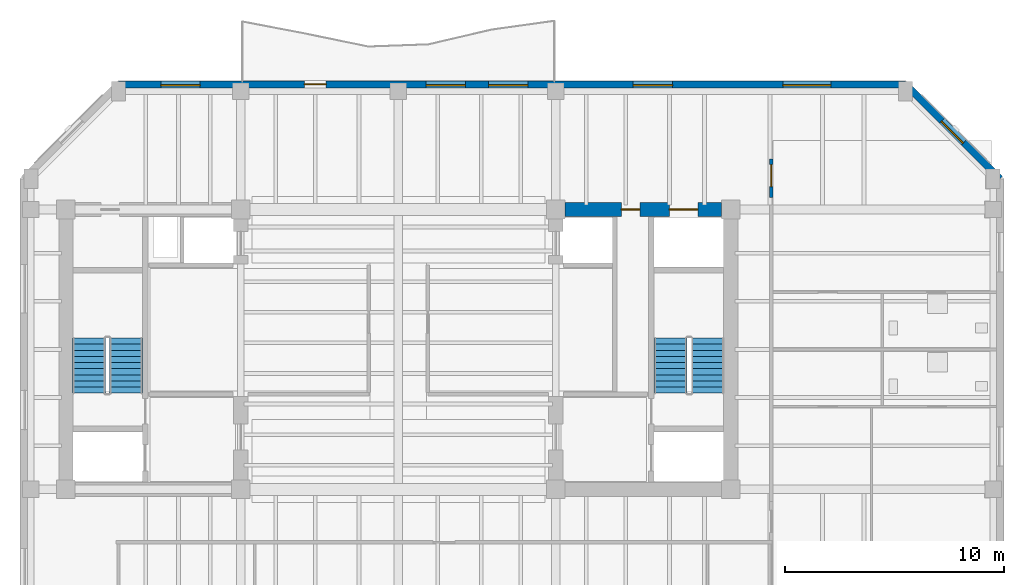
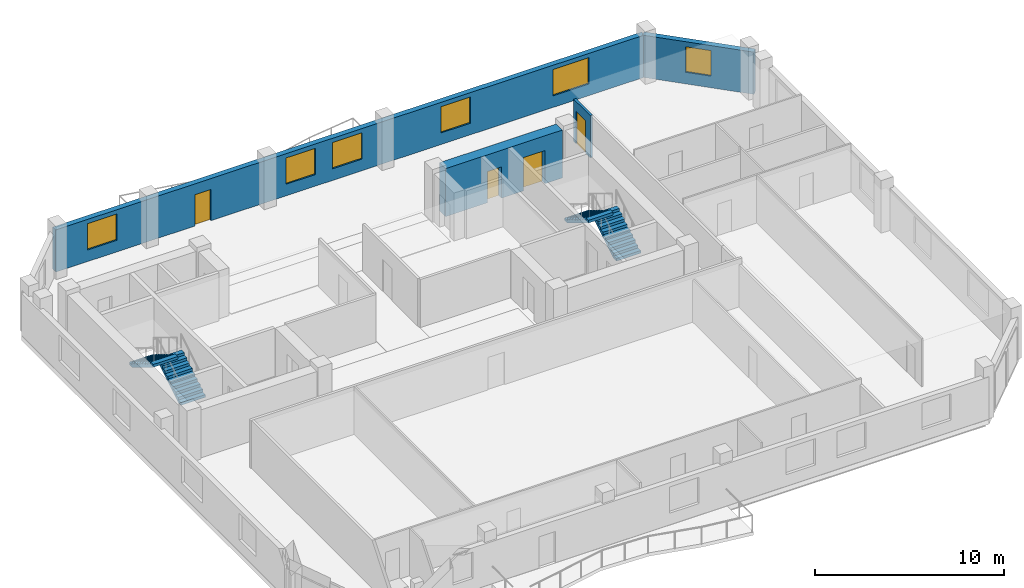
# One storey, part 5 of 9: 6 windows, 4 doors, 4 stair flights, 4 walls, 10 openings, 2 elements without a shape of their own.
"""IFC4 building model written with IfcOpenShell, lengths in metres."""

from ifc_helpers import new_model, si_unit, direction, frame, frame_2d, origin, place, context, subcontext, project, spatial, polyline, rectangle, outline, extrude, material, layer, layer_set, type_object, element, fill, aggregate, save


model = new_model("IFC4")

# Units and contexts
model_context = context("Model", 3, precision=1e-05, world=origin(), true_north=direction((0.0, 1.0)))
body_context = subcontext(model_context, "Body", "Model", "MODEL_VIEW")
ifc_project = project(units=[si_unit("LENGTHUNIT", "METRE"), si_unit("AREAUNIT", "SQUARE_METRE"), si_unit("VOLUMEUNIT", "CUBIC_METRE"), si_unit("PLANEANGLEUNIT", "RADIAN"), si_unit("MASSUNIT", "GRAM", prefix="KILO")], contexts=[model_context])

# Site, building, storey
site_placement = place(None, origin())
site = spatial("IfcSite", under=ifc_project, at=site_placement, CompositionType="ELEMENT")
building_placement = place(site_placement, origin())
building = spatial("IfcBuilding", under=site, at=building_placement, Name="Kranthara Brick Stack", CompositionType="ELEMENT")
storey_placement = place(building_placement, frame((0.0, 0.0, 241.5)))
storey = spatial("IfcBuildingStorey", under=building, at=storey_placement, Name="L63", CompositionType="ELEMENT", Elevation=241.5)

# Wall, openings, door, windows
ifc_material_1 = material(Name="Warm buff clay brick masonry M15", Category="masonry")
ifc_layer_1 = layer(ifc_material_1, 0.320068359375)
ifc_layer_set_1 = layer_set([ifc_layer_1], Name="Warm buff clay brick masonry M15")
wall_type_1 = type_object("IfcWallType", Name="WL-BRK-UPPR-320", PredefinedType="STANDARD", material=ifc_layer_set_1)
wall_1_placement = place(storey_placement, frame((15.199951171875, 39.320068359375, 0.0), z_axis=(0.0, 0.0, 1.0), x_axis=(1.0, 0.0, 0.0)))
wall_1 = element("IfcWall", 1, at=wall_1_placement, inside=storey, type_object=wall_type_1, Name="L63 Exterior Brick Facade Wall NORTH 1", PredefinedType="STANDARD", context=body_context, shape_type="SweptSolid", body=[
    extrude(rectangle(XDim=36.0, YDim=0.320068359375, at=frame_2d((18.0, 0.0))), origin(), (0.0, 0.0, 1.0), 2.72509765625),
])
opening_1_placement = place(wall_1_placement, frame((8.5, 0.0, 0.0)))
opening_1 = element("IfcOpeningElement", 2, at=opening_1_placement, cuts=wall_1, Name="Opening D03", PredefinedType="OPENING", context=body_context, shape_type="SweptSolid", body=[
    extrude(rectangle(XDim=1.0, YDim=2.02001953125, at=frame_2d((0.5, 1.010009765625))), frame((0.0, 0.169921875, 0.0), z_axis=(0.0, -1.0, 0.0), x_axis=(1.0, 0.0, 0.0)), (0.0, 0.0, 1.0), 0.340087890625),
])
opening_2_placement = place(wall_1_placement, frame((1.93798828125, 0.0, 0.75)))
opening_2 = element("IfcOpeningElement", 3, at=opening_2_placement, cuts=wall_1, Name="Opening WN07", PredefinedType="OPENING", context=body_context, shape_type="SweptSolid", body=[
    extrude(rectangle(XDim=1.800048828125, YDim=1.699951171875, at=frame_2d((0.89990234375, 0.85009765625))), frame((0.0, 0.169921875, 0.0), z_axis=(0.0, -1.0, 0.0), x_axis=(1.0, 0.0, 0.0)), (0.0, 0.0, 1.0), 0.340087890625),
])
opening_3_placement = place(wall_1_placement, frame((14.072021484375, 0.0, 0.75)))
opening_3 = element("IfcOpeningElement", 4, at=opening_3_placement, cuts=wall_1, Name="Opening WN07", PredefinedType="OPENING", context=body_context, shape_type="SweptSolid", body=[
    extrude(rectangle(XDim=1.800048828125, YDim=1.699951171875, at=frame_2d((0.89990234375, 0.85009765625))), frame((0.0, 0.169921875, 0.0), z_axis=(0.0, -1.0, 0.0), x_axis=(1.0, 0.0, 0.0)), (0.0, 0.0, 1.0), 0.340087890625),
])
opening_4_placement = place(wall_1_placement, frame((16.927978515625, 0.0, 0.75)))
opening_4 = element("IfcOpeningElement", 5, at=opening_4_placement, cuts=wall_1, Name="Opening WN07", PredefinedType="OPENING", context=body_context, shape_type="SweptSolid", body=[
    extrude(rectangle(XDim=1.800048828125, YDim=1.699951171875, at=frame_2d((0.89990234375, 0.85009765625))), frame((0.0, 0.169921875, 0.0), z_axis=(0.0, -1.0, 0.0), x_axis=(1.0, 0.0, 0.0)), (0.0, 0.0, 1.0), 0.340087890625),
])
opening_5_placement = place(wall_1_placement, frame((23.541015625, 0.0, 0.75)))
opening_5 = element("IfcOpeningElement", 6, at=opening_5_placement, cuts=wall_1, Name="Opening WN07", PredefinedType="OPENING", context=body_context, shape_type="SweptSolid", body=[
    extrude(rectangle(XDim=1.800048828125, YDim=1.699951171875, at=frame_2d((0.89990234375, 0.85009765625))), frame((0.0, 0.169921875, 0.0), z_axis=(0.0, -1.0, 0.0), x_axis=(1.0, 0.0, 0.0)), (0.0, 0.0, 1.0), 0.340087890625),
])
opening_6_placement = place(wall_1_placement, frame((30.384033203125, 0.0, 0.75)))
opening_6 = element("IfcOpeningElement", 7, at=opening_6_placement, cuts=wall_1, Name="Opening WN08", PredefinedType="OPENING", context=body_context, shape_type="SweptSolid", body=[
    extrude(rectangle(XDim=2.199951171875, YDim=1.699951171875, at=frame_2d((1.10009765625, 0.85009765625))), frame((0.0, 0.169921875, 0.0), z_axis=(0.0, -1.0, 0.0), x_axis=(1.0, 0.0, 0.0)), (0.0, 0.0, 1.0), 0.340087890625),
])
ifc_material_2 = material(Name="Bronze anodised aluminium and laminated glass", Category="aluminium")
door_type_1 = type_object("IfcDoorType", Name="DR-BALC-1000", OperationType="NOTDEFINED", PredefinedType="DOOR", material=ifc_material_2)
door_1_placement = place(opening_1_placement, origin())
door_1 = element("IfcDoor", 8, at=door_1_placement, inside=storey, type_object=door_type_1, Name="L63 North Balcony Terrace Door", OperationType="SINGLE_SWING_RIGHT", OverallHeight=2.02001953125, OverallWidth=1.0, PredefinedType="DOOR", context=body_context, shape_type="SweptSolid", body=[
    extrude(rectangle(XDim=1.0, YDim=2.02001953125, at=frame_2d((0.5, 1.010009765625))), frame((0.0, 0.02490234375, 0.0), z_axis=(0.0, -1.0, 0.0), x_axis=(1.0, 0.0, 0.0)), (0.0, 0.0, 1.0), 0.050048828125),
])
fill(opening_1, door_1)
ifc_material_3 = material(Name="Double-glazed low-E solar control glass", Category="glass")
window_type_1 = type_object("IfcWindowType", Name="WN-RES-1800x1850", PartitioningType="DOUBLE_PANEL_VERTICAL", PredefinedType="WINDOW", material=ifc_material_3)
window_1_placement = place(opening_2_placement, origin())
window_1 = element("IfcWindow", 9, at=window_1_placement, inside=storey, type_object=window_type_1, Name="L63 North Deep-Set Brick Window 01", OverallHeight=1.699951171875, OverallWidth=1.800048828125, PartitioningType="SINGLE_PANEL", PredefinedType="WINDOW", context=body_context, shape_type="SweptSolid", body=[
    extrude(rectangle(XDim=1.800048828125, YDim=1.699951171875, at=frame_2d((0.89990234375, 0.85009765625))), frame((0.0, -0.010009765625, 0.0), z_axis=(0.0, -1.0, 0.0), x_axis=(1.0, 0.0, 0.0)), (0.0, 0.0, 1.0), 0.06005859375),
])
fill(opening_2, window_1)
window_2_placement = place(opening_3_placement, origin())
window_2 = element("IfcWindow", 10, at=window_2_placement, inside=storey, type_object=window_type_1, Name="L63 North Deep-Set Brick Window 02", OverallHeight=1.699951171875, OverallWidth=1.800048828125, PartitioningType="SINGLE_PANEL", PredefinedType="WINDOW", context=body_context, shape_type="SweptSolid", body=[
    extrude(rectangle(XDim=1.800048828125, YDim=1.699951171875, at=frame_2d((0.89990234375, 0.85009765625))), frame((0.0, -0.010009765625, 0.0), z_axis=(0.0, -1.0, 0.0), x_axis=(1.0, 0.0, 0.0)), (0.0, 0.0, 1.0), 0.06005859375),
])
fill(opening_3, window_2)
window_3_placement = place(opening_4_placement, origin())
window_3 = element("IfcWindow", 11, at=window_3_placement, inside=storey, type_object=window_type_1, Name="L63 North Deep-Set Brick Window 03", OverallHeight=1.699951171875, OverallWidth=1.800048828125, PartitioningType="SINGLE_PANEL", PredefinedType="WINDOW", context=body_context, shape_type="SweptSolid", body=[
    extrude(rectangle(XDim=1.800048828125, YDim=1.699951171875, at=frame_2d((0.89990234375, 0.85009765625))), frame((0.0, -0.010009765625, 0.0), z_axis=(0.0, -1.0, 0.0), x_axis=(1.0, 0.0, 0.0)), (0.0, 0.0, 1.0), 0.06005859375),
])
fill(opening_4, window_3)
window_4_placement = place(opening_5_placement, origin())
window_4 = element("IfcWindow", 12, at=window_4_placement, inside=storey, type_object=window_type_1, Name="L63 North Deep-Set Brick Window 04", OverallHeight=1.699951171875, OverallWidth=1.800048828125, PartitioningType="SINGLE_PANEL", PredefinedType="WINDOW", context=body_context, shape_type="SweptSolid", body=[
    extrude(rectangle(XDim=1.800048828125, YDim=1.699951171875, at=frame_2d((0.89990234375, 0.85009765625))), frame((0.0, -0.010009765625, 0.0), z_axis=(0.0, -1.0, 0.0), x_axis=(1.0, 0.0, 0.0)), (0.0, 0.0, 1.0), 0.06005859375),
])
fill(opening_5, window_4)
ifc_material_4 = material(Name="Double-glazed low-E solar control glass", Category="glass")
window_type_2 = type_object("IfcWindowType", Name="WN-RES-2200x1850", PartitioningType="TRIPLE_PANEL_VERTICAL", PredefinedType="WINDOW", material=ifc_material_4)
window_5_placement = place(opening_6_placement, origin())
window_5 = element("IfcWindow", 13, at=window_5_placement, inside=storey, type_object=window_type_2, Name="L63 North Deep-Set Brick Window 05", OverallHeight=1.699951171875, OverallWidth=2.199951171875, PartitioningType="SINGLE_PANEL", PredefinedType="WINDOW", context=body_context, shape_type="SweptSolid", body=[
    extrude(rectangle(XDim=2.199951171875, YDim=1.699951171875, at=frame_2d((1.10009765625, 0.85009765625))), frame((0.0, -0.010009765625, 0.0), z_axis=(0.0, -1.0, 0.0), x_axis=(1.0, 0.0, 0.0)), (0.0, 0.0, 1.0), 0.06005859375),
])
fill(opening_6, window_5)

# Wall, opening, window
wall_2_placement = place(storey_placement, frame((51.199951171875, 39.320068359375, 0.0), z_axis=(0.0, 0.0, 1.0), x_axis=(0.707106781187, -0.707106781187, 0.0)))
wall_2 = element("IfcWall", 14, at=wall_2_placement, inside=storey, type_object=wall_type_1, Name="L63 Exterior Brick Facade Wall NE 1", PredefinedType="STANDARD", context=body_context, shape_type="SweptSolid", body=[
    extrude(rectangle(XDim=6.109619140625, YDim=0.320068359375, at=frame_2d((3.0546875, 0.0))), origin(), (0.0, 0.0, 1.0), 2.72509765625),
])
opening_7_placement = place(wall_2_placement, frame((2.35498046875, 0.0, 0.75)))
opening_7 = element("IfcOpeningElement", 15, at=opening_7_placement, cuts=wall_2, Name="Opening WN10", PredefinedType="OPENING", context=body_context, shape_type="SweptSolid", body=[
    extrude(rectangle(XDim=1.39990234375, YDim=1.64990234375, at=frame_2d((0.699951171875, 0.824951171875))), frame((0.0, 0.169921875, 0.0), z_axis=(0.0, -1.0, 0.0), x_axis=(1.0, 0.0, 0.0)), (0.0, 0.0, 1.0), 0.340087890625),
])
ifc_material_5 = material(Name="Double-glazed low-E solar control glass", Category="glass")
window_type_3 = type_object("IfcWindowType", Name="WN-CHM-1400x1750", PartitioningType="SINGLE_PANEL", PredefinedType="WINDOW", material=ifc_material_5)
window_6_placement = place(opening_7_placement, origin())
window_6 = element("IfcWindow", 16, at=window_6_placement, inside=storey, type_object=window_type_3, Name="L63 NE Chamfer Corner Window", OverallHeight=1.64990234375, OverallWidth=1.39990234375, PartitioningType="SINGLE_PANEL", PredefinedType="WINDOW", context=body_context, shape_type="SweptSolid", body=[
    extrude(rectangle(XDim=1.39990234375, YDim=1.64990234375, at=frame_2d((0.699951171875, 0.824951171875))), frame((0.0, -0.010009765625, 0.0), z_axis=(0.0, -1.0, 0.0), x_axis=(1.0, 0.0, 0.0)), (0.0, 0.0, 1.0), 0.06005859375),
])
fill(opening_7, window_6)

# Wall, openings, doors
ifc_material_6 = material(Name="Concrete C60/75", Category="concrete")
ifc_layer_2 = layer(ifc_material_6, 0.64990234375)
ifc_layer_set_2 = layer_set([ifc_layer_2], Name="Concrete C60/75")
wall_type_2 = type_object("IfcWallType", Name="WL-CORE-650", PredefinedType="SHEAR", material=ifc_layer_set_2)
wall_3_placement = place(storey_placement, frame((35.6298828125, 33.60009765625, 0.0), z_axis=(0.0, 0.0, 1.0), x_axis=(1.0, 0.0, 0.0)))
wall_3 = element("IfcWall", 17, at=wall_3_placement, inside=storey, type_object=wall_type_2, Name="L63 East Core Shear Wall North", PredefinedType="SHEAR", context=body_context, shape_type="SweptSolid", body=[
    extrude(rectangle(XDim=7.14013671875, YDim=0.64990234375, at=frame_2d((3.570068359375, 0.0))), origin(), (0.0, 0.0, 1.0), 3.10009765625),
])
opening_8_placement = place(wall_3_placement, frame((4.77001953125, 0.0, 0.0)))
opening_8 = element("IfcOpeningElement", 18, at=opening_8_placement, cuts=wall_3, Name="Opening LD03", PredefinedType="OPENING", context=body_context, shape_type="SweptSolid", body=[
    extrude(rectangle(XDim=1.300048828125, YDim=2.14990234375, at=frame_2d((0.64990234375, 1.074951171875))), frame((0.0, 0.3349609375, 0.0), z_axis=(0.0, -1.0, 0.0), x_axis=(1.0, 0.0, 0.0)), (0.0, 0.0, 1.0), 0.669921875),
])
opening_9_placement = place(wall_3_placement, frame((2.570068359375, 0.0, 0.0)))
opening_9 = element("IfcOpeningElement", 19, at=opening_9_placement, cuts=wall_3, Name="Opening D10", PredefinedType="OPENING", context=body_context, shape_type="SweptSolid", body=[
    extrude(rectangle(XDim=0.85009765625, YDim=2.02001953125, at=frame_2d((0.425048828125, 1.010009765625))), frame((0.0, 0.3349609375, 0.0), z_axis=(0.0, -1.0, 0.0), x_axis=(1.0, 0.0, 0.0)), (0.0, 0.0, 1.0), 0.669921875),
])
ifc_material_7 = material(Name="Stainless steel sliding landing door", Category="steel")
door_type_2 = type_object("IfcDoorType", Name="DR-LD-SV1300", OperationType="DOUBLE_DOOR_SLIDING", PredefinedType="DOOR", material=ifc_material_7)
door_2_placement = place(opening_8_placement, origin())
door_2 = element("IfcDoor", 20, at=door_2_placement, inside=storey, type_object=door_type_2, Name="L63 Stretcher Service Lift SV-01 Landing Door", OperationType="DOUBLE_DOOR_SLIDING", OverallHeight=2.14990234375, OverallWidth=1.300048828125, PredefinedType="DOOR", context=body_context, shape_type="SweptSolid", body=[
    extrude(rectangle(XDim=1.300048828125, YDim=2.14990234375, at=frame_2d((0.64990234375, 1.074951171875))), frame((0.0, 0.02490234375, 0.0), z_axis=(0.0, -1.0, 0.0), x_axis=(1.0, 0.0, 0.0)), (0.0, 0.0, 1.0), 0.050048828125),
])
fill(opening_8, door_2)
ifc_material_8 = material(Name="Solid-core hardwood timber leaf in steel frame", Category="steel")
door_type_3 = type_object("IfcDoorType", Name="DR-RSR-850", OperationType="NOTDEFINED", PredefinedType="DOOR", material=ifc_material_8)
door_3_placement = place(opening_9_placement, origin())
door_3 = element("IfcDoor", 21, at=door_3_placement, inside=storey, type_object=door_type_3, Name="L63 East Core Service Room Door", OperationType="SINGLE_SWING_LEFT", OverallHeight=2.02001953125, OverallWidth=0.85009765625, PredefinedType="DOOR", context=body_context, shape_type="SweptSolid", body=[
    extrude(rectangle(XDim=0.85009765625, YDim=2.02001953125, at=frame_2d((0.425048828125, 1.010009765625))), frame((0.0, 0.02490234375, 0.0), z_axis=(0.0, -1.0, 0.0), x_axis=(1.0, 0.0, 0.0)), (0.0, 0.0, 1.0), 0.050048828125),
])
fill(opening_9, door_3)

# Wall, opening, door
ifc_material_9 = material(Name="Fire-rated gypsum board partition", Category="other")
ifc_layer_3 = layer(ifc_material_9, 0.14990234375)
ifc_layer_set_3 = layer_set([ifc_layer_3], Name="Fire-rated gypsum board partition")
wall_type_3 = type_object("IfcWallType", Name="WL-PART-150", PredefinedType="PARTITIONING", material=ifc_layer_set_3)
wall_4_placement = place(storey_placement, frame((45.050048828125, 34.14990234375, 0.0), z_axis=(0.0, 0.0, 1.0), x_axis=(0.0, 1.0, 0.0)))
wall_4 = element("IfcWall", 22, at=wall_4_placement, inside=storey, type_object=wall_type_3, Name="L63 Interior Partition 017", PredefinedType="PARTITIONING", context=body_context, shape_type="SweptSolid", body=[
    extrude(rectangle(XDim=1.75, YDim=0.14990234375, at=frame_2d((0.875, 0.0))), origin(), (0.0, 0.0, 1.0), 2.72509765625),
])
opening_10_placement = place(wall_4_placement, frame((0.5, 0.0, 0.0)))
opening_10 = element("IfcOpeningElement", 23, at=opening_10_placement, cuts=wall_4, Name="Opening D08", PredefinedType="OPENING", context=body_context, shape_type="SweptSolid", body=[
    extrude(rectangle(XDim=1.0, YDim=2.10009765625, at=frame_2d((0.5, 1.050048828125))), frame((0.0, 0.0849609375, 0.0), z_axis=(0.0, -1.0, 0.0), x_axis=(1.0, 0.0, 0.0)), (0.0, 0.0, 1.0), 0.169921875),
])
ifc_material_10 = material(Name="Solid-core hardwood timber leaf in steel frame", Category="steel")
door_type_4 = type_object("IfcDoorType", Name="DR-FD-1000", OperationType="NOTDEFINED", PredefinedType="DOOR", material=ifc_material_10)
door_4_placement = place(opening_10_placement, origin())
door_4 = element("IfcDoor", 24, at=door_4_placement, inside=storey, type_object=door_type_4, Name="L63 Unit L63C Entrance 14", OperationType="SINGLE_SWING_RIGHT", OverallHeight=2.10009765625, OverallWidth=1.0, PredefinedType="DOOR", context=body_context, shape_type="SweptSolid", body=[
    extrude(rectangle(XDim=1.0, YDim=2.10009765625, at=frame_2d((0.5, 1.050048828125))), frame((0.0, 0.02490234375, 0.0), z_axis=(0.0, -1.0, 0.0), x_axis=(1.0, 0.0, 0.0)), (0.0, 0.0, 1.0), 0.050048828125),
])
fill(opening_10, door_4)

# Stair, stair flights
ifc_material_11 = material(Name="Concrete C45/55", Category="concrete")
stair_type = type_object("IfcStairType", Name="ST-CORE-20R", PredefinedType="HALF_TURN_STAIR", material=ifc_material_11)
stair_1_placement = place(storey_placement, origin())
stair_1 = element("IfcStair", 25, at=stair_1_placement, inside=storey, type_object=stair_type, Name="L63 West Core Protected Exit Stair ST01", PredefinedType="HALF_TURN_STAIR")
ifc_material_12 = material(Name="Concrete C45/55", Category="concrete")
stair_flight_type = type_object("IfcStairFlightType", Name="SFL-RC-20R", PredefinedType="STRAIGHT", material=ifc_material_12)
stair_flight_1_placement = place(storey_placement, frame((15.550048828125, 25.199951171875, 0.0), z_axis=(0.0, 0.0, 1.0), x_axis=(0.0, 1.0, 0.0)))
stair_flight_1 = element("IfcStairFlight", 26, at=stair_flight_1_placement, type_object=stair_flight_type, Name="ST01 flight 1", NumberOfRisers=10, NumberOfTreads=9, PredefinedType="STRAIGHT", RiserHeight=0.17, TreadLength=0.28, context=body_context, shape_type="SweptSolid", body=[
    extrude(outline(polyline([(0.0, 0.0), (0.0, 0.169921875), (0.280029296875, 0.169921875), (0.280029296875, 0.340087890625), (0.56005859375, 0.340087890625), (0.56005859375, 0.510009765625), (0.840087890625, 0.510009765625), (0.840087890625, 0.679931640625), (1.1201171875, 0.679931640625), (1.1201171875, 0.85009765625), (1.39990234375, 0.85009765625), (1.39990234375, 1.02001953125), (1.679931640625, 1.02001953125), (1.679931640625, 1.18994140625), (1.9599609375, 1.18994140625), (1.9599609375, 1.360107421875), (2.239990234375, 1.360107421875), (2.239990234375, 1.530029296875), (2.52001953125, 1.530029296875), (2.52001953125, 1.699951171875), (2.52001953125, 1.354736328125), (0.288818359375, 0.0), (0.0, 0.0)])), frame((0.0, 0.75, 0.0), z_axis=(0.0, -1.0, 0.0), x_axis=(1.0, 0.0, 0.0)), (0.0, 0.0, 1.0), 1.5),
])
stair_flight_2_placement = place(storey_placement, frame((13.85009765625, 27.719970703125, 1.699951171875), z_axis=(0.0, 0.0, 1.0), x_axis=(0.0, -1.0, 0.0)))
stair_flight_2 = element("IfcStairFlight", 27, at=stair_flight_2_placement, type_object=stair_flight_type, Name="ST01 flight 2", NumberOfRisers=10, NumberOfTreads=9, PredefinedType="STRAIGHT", RiserHeight=0.17, TreadLength=0.28, context=body_context, shape_type="SweptSolid", body=[
    extrude(outline(polyline([(0.0, 0.0), (0.0, 0.169921875), (0.280029296875, 0.169921875), (0.280029296875, 0.340087890625), (0.56005859375, 0.340087890625), (0.56005859375, 0.510009765625), (0.840087890625, 0.510009765625), (0.840087890625, 0.679931640625), (1.1201171875, 0.679931640625), (1.1201171875, 0.85009765625), (1.39990234375, 0.85009765625), (1.39990234375, 1.02001953125), (1.679931640625, 1.02001953125), (1.679931640625, 1.18994140625), (1.9599609375, 1.18994140625), (1.9599609375, 1.360107421875), (2.239990234375, 1.360107421875), (2.239990234375, 1.530029296875), (2.52001953125, 1.530029296875), (2.52001953125, 1.699951171875), (2.52001953125, 1.354736328125), (0.288818359375, 0.0), (0.0, 0.0)])), frame((0.0, 0.75, 0.0), z_axis=(0.0, -1.0, 0.0), x_axis=(1.0, 0.0, 0.0)), (0.0, 0.0, 1.0), 1.5),
])
aggregate(stair_1, [stair_flight_1, stair_flight_2])

stair_2_placement = place(storey_placement, origin())
stair_2 = element("IfcStair", 28, at=stair_2_placement, inside=storey, type_object=stair_type, Name="L63 East Core Protected Exit Stair ST02", PredefinedType="HALF_TURN_STAIR")
stair_flight_3_placement = place(storey_placement, frame((42.14990234375, 25.199951171875, 0.0), z_axis=(0.0, 0.0, 1.0), x_axis=(0.0, 1.0, 0.0)))
stair_flight_3 = element("IfcStairFlight", 29, at=stair_flight_3_placement, type_object=stair_flight_type, Name="ST02 flight 1", NumberOfRisers=10, NumberOfTreads=9, PredefinedType="STRAIGHT", RiserHeight=0.17, TreadLength=0.28, context=body_context, shape_type="SweptSolid", body=[
    extrude(outline(polyline([(0.0, 0.0), (0.0, 0.169921875), (0.280029296875, 0.169921875), (0.280029296875, 0.340087890625), (0.56005859375, 0.340087890625), (0.56005859375, 0.510009765625), (0.840087890625, 0.510009765625), (0.840087890625, 0.679931640625), (1.1201171875, 0.679931640625), (1.1201171875, 0.85009765625), (1.39990234375, 0.85009765625), (1.39990234375, 1.02001953125), (1.679931640625, 1.02001953125), (1.679931640625, 1.18994140625), (1.9599609375, 1.18994140625), (1.9599609375, 1.360107421875), (2.239990234375, 1.360107421875), (2.239990234375, 1.530029296875), (2.52001953125, 1.530029296875), (2.52001953125, 1.699951171875), (2.52001953125, 1.354736328125), (0.288818359375, 0.0), (0.0, 0.0)])), frame((0.0, 0.75, 0.0), z_axis=(0.0, -1.0, 0.0), x_axis=(1.0, 0.0, 0.0)), (0.0, 0.0, 1.0), 1.5),
])
stair_flight_4_placement = place(storey_placement, frame((40.449951171875, 27.719970703125, 1.699951171875), z_axis=(0.0, 0.0, 1.0), x_axis=(0.0, -1.0, 0.0)))
stair_flight_4 = element("IfcStairFlight", 30, at=stair_flight_4_placement, type_object=stair_flight_type, Name="ST02 flight 2", NumberOfRisers=10, NumberOfTreads=9, PredefinedType="STRAIGHT", RiserHeight=0.17, TreadLength=0.28, context=body_context, shape_type="SweptSolid", body=[
    extrude(outline(polyline([(0.0, 0.0), (0.0, 0.169921875), (0.280029296875, 0.169921875), (0.280029296875, 0.340087890625), (0.56005859375, 0.340087890625), (0.56005859375, 0.510009765625), (0.840087890625, 0.510009765625), (0.840087890625, 0.679931640625), (1.1201171875, 0.679931640625), (1.1201171875, 0.85009765625), (1.39990234375, 0.85009765625), (1.39990234375, 1.02001953125), (1.679931640625, 1.02001953125), (1.679931640625, 1.18994140625), (1.9599609375, 1.18994140625), (1.9599609375, 1.360107421875), (2.239990234375, 1.360107421875), (2.239990234375, 1.530029296875), (2.52001953125, 1.530029296875), (2.52001953125, 1.699951171875), (2.52001953125, 1.354736328125), (0.288818359375, 0.0), (0.0, 0.0)])), frame((0.0, 0.75, 0.0), z_axis=(0.0, -1.0, 0.0), x_axis=(1.0, 0.0, 0.0)), (0.0, 0.0, 1.0), 1.5),
])
aggregate(stair_2, [stair_flight_3, stair_flight_4])

save(model, "model.ifc")
